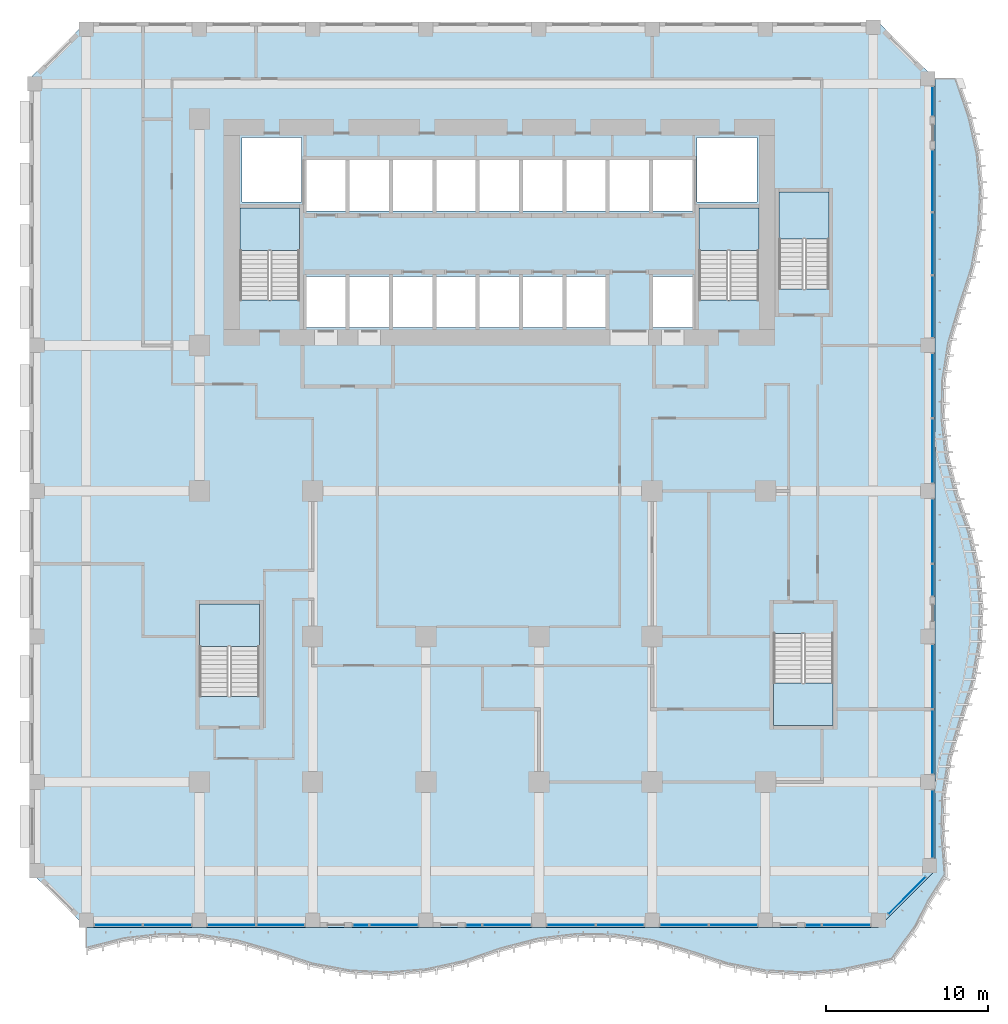
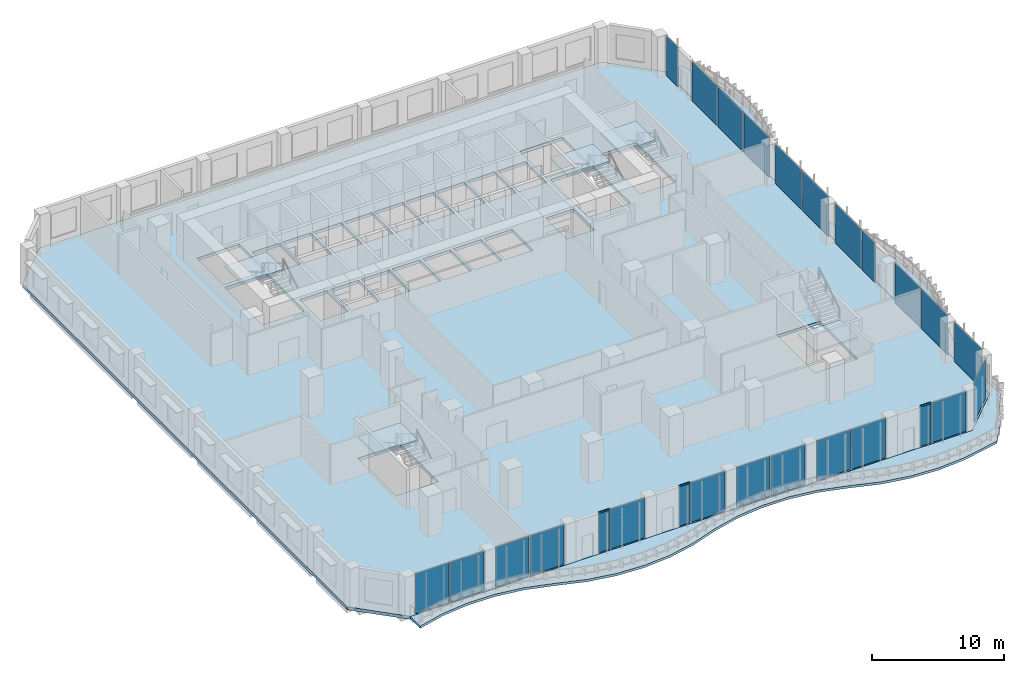
# One storey, part 9 of 24: 26 plates, 7 slabs, 3 members, 31 elements without a shape of their own.
"""IFC4 building model written with IfcOpenShell, lengths in metres."""

import ifcopenshell
import ifcopenshell.guid

model = None  # the IFC model being written
_history = None  # IfcOwnerHistory: only IFC2X3 demands one
_inside = {}  # id of a spatial element -> (the spatial element, [elements in it])
_under = {}  # id of a project, library or spatial element -> (it, [spatial elements below it])
_declared = {}  # id of a project -> (the project, [libraries it declares])
_typed = {}  # id of a type object -> (the type object, [elements of that type])
_made_of = {}  # id of a material, layer set ... -> (it, [elements and type objects made of it])


def new_model(schema):
    """Start an empty IFC model of exactly this schema.

    Asked for "IFC4X3", IfcOpenShell would pick the latest addendum, in which some entities
    have other attributes; the version numbers below select the first issue.
    IFC2X3 requires an IfcOwnerHistory on every rooted entity: one is made here for all.
    """
    global model, _history
    if schema == "IFC4X3":
        model = ifcopenshell.file(schema_version=(4, 3, 0, 0))
    else:
        model = ifcopenshell.file(schema=schema)
    _inside.clear()
    _under.clear()
    _declared.clear()
    _typed.clear()
    _made_of.clear()
    _history = None
    if model.schema == "IFC2X3":
        org = make("IfcOrganization", Name="unknown")
        user = make(
            "IfcPersonAndOrganization",
            ThePerson=make("IfcPerson", FamilyName="unknown"),
            TheOrganization=org,
        )
        app = make(
            "IfcApplication",
            ApplicationDeveloper=org,
            Version="unknown",
            ApplicationFullName="unknown",
            ApplicationIdentifier="unknown",
        )
        _history = make(
            "IfcOwnerHistory",
            OwningUser=user,
            OwningApplication=app,
            ChangeAction="ADDED",
            CreationDate=0,
        )
    return model


def make(cls, **values):
    """One entity of the class cls with the attributes given. An attribute that is None is left unset."""
    return model.create_entity(
        cls, **{name: value for name, value in values.items() if value is not None}
    )


def rooted(cls, **values):
    """An entity with a GlobalId (a new one), such as an element, a storey or a relation."""
    return make(cls, GlobalId=ifcopenshell.guid.new(), OwnerHistory=_history, **values)


def si_unit(unit_type, name, prefix=None):
    """IfcSIUnit, for example si_unit("LENGTHUNIT", "METRE", prefix="MILLI")."""
    return make("IfcSIUnit", UnitType=unit_type, Prefix=prefix, Name=name)


def assignment(units):
    """IfcUnitAssignment: the units of a project."""
    return None if units is None else make("IfcUnitAssignment", Units=units)


def point(xyz):
    """IfcCartesianPoint."""
    return None if xyz is None else make("IfcCartesianPoint", Coordinates=xyz)


def direction(xyz):
    """IfcDirection."""
    return None if xyz is None else make("IfcDirection", DirectionRatios=xyz)


def frame(location, z_axis=None, x_axis=None):
    """IfcAxis2Placement3D, a coordinate frame: its origin and axes. An axis left out is left unset."""
    return make(
        "IfcAxis2Placement3D",
        Location=point(location),
        Axis=direction(z_axis),
        RefDirection=direction(x_axis),
    )


def frame_2d(location, x_axis=None):
    """IfcAxis2Placement2D, a coordinate frame in the plane: its origin and x axis."""
    return make(
        "IfcAxis2Placement2D", Location=point(location), RefDirection=direction(x_axis)
    )


def origin():
    """The frame at (0, 0, 0) with its axes left unset."""
    return frame((0.0, 0.0, 0.0))


def origin_2d():
    """The frame at (0, 0) in the plane with its x axis left unset."""
    return frame_2d((0.0, 0.0))


def place(relative_to, where):
    """IfcLocalPlacement: puts the frame where relative to a parent placement (None: the world)."""
    return make(
        "IfcLocalPlacement", PlacementRelTo=relative_to, RelativePlacement=where
    )


def context(
    kind, dimensions, precision=None, world=None, true_north=None, identifier=None
):
    """IfcGeometricRepresentationContext, for example the 3D "Model" context."""
    return make(
        "IfcGeometricRepresentationContext",
        ContextIdentifier=identifier,
        ContextType=kind,
        CoordinateSpaceDimension=dimensions,
        Precision=precision,
        WorldCoordinateSystem=world,
        TrueNorth=true_north,
    )


def subcontext(parent, identifier, kind, view, scale=None):
    """IfcGeometricRepresentationSubContext, for example "Body" below "Model"."""
    return make(
        "IfcGeometricRepresentationSubContext",
        ContextIdentifier=identifier,
        ContextType=kind,
        ParentContext=parent,
        TargetScale=scale,
        TargetView=view,
    )


def project(units=None, contexts=None):
    """IfcProject with its units and contexts."""
    return rooted(
        "IfcProject",
        Name="project",
        RepresentationContexts=contexts,
        UnitsInContext=assignment(units),
    )


def spatial(cls, under=None, at=None, **own):
    """A site, building, storey or space (cls), placed at a placement, below another one or the project."""
    s = rooted(cls, ObjectPlacement=at, **own)
    if under is not None:
        _under.setdefault(under.id(), (under, []))[1].append(s)
    return s


def polyline(points):
    """IfcPolyline through the points."""
    return make("IfcPolyline", Points=[point(p) for p in points])


def profile(cls, at=None, kind="AREA", **sizes):
    """A parametric profile (cls). Its sizes go by their IFC names, for example OverallWidth=200.0."""
    return make(cls, ProfileType=kind, Position=at, **sizes)


def rectangle(**sizes):
    """IfcRectangleProfileDef."""
    return profile("IfcRectangleProfileDef", **sizes)


def outline(outer, holes=None, kind="AREA"):
    """IfcArbitraryClosedProfileDef: a profile drawn as a closed curve; with holes, ...WithVoids."""
    if holes is None:
        return make("IfcArbitraryClosedProfileDef", ProfileType=kind, OuterCurve=outer)
    return make(
        "IfcArbitraryProfileDefWithVoids",
        ProfileType=kind,
        OuterCurve=outer,
        InnerCurves=holes,
    )


def extrude(swept, where, along, depth):
    """IfcExtrudedAreaSolid: the profile swept, set in the frame where, extruded along a direction by depth."""
    return make(
        "IfcExtrudedAreaSolid",
        SweptArea=swept,
        Position=where,
        ExtrudedDirection=direction(along),
        Depth=depth,
    )


def shape(context_of_items, identifier, shape_type, items):
    """IfcShapeRepresentation: the items that make up one representation, for example the "Body"."""
    return make(
        "IfcShapeRepresentation",
        ContextOfItems=context_of_items,
        RepresentationIdentifier=identifier,
        RepresentationType=shape_type,
        Items=items,
    )


def source(mapping_origin, context_of_items, identifier, shape_type, items):
    """IfcRepresentationMap: a shape defined once, which mapped items show again and again."""
    return make(
        "IfcRepresentationMap",
        MappingOrigin=mapping_origin,
        MappedRepresentation=shape(context_of_items, identifier, shape_type, items),
    )


def transform(
    local_origin,
    x_axis=None,
    y_axis=None,
    z_axis=None,
    scale=None,
    scale2=None,
    scale3=None,
    uniform=True,
):
    """IfcCartesianTransformationOperator3D, or its non-uniform kind. x_axis, y_axis, z_axis: its Axis1, 2, 3."""
    if uniform:
        return make(
            "IfcCartesianTransformationOperator3D",
            Axis1=direction(x_axis),
            Axis2=direction(y_axis),
            LocalOrigin=point(local_origin),
            Scale=scale,
            Axis3=direction(z_axis),
        )
    return make(
        "IfcCartesianTransformationOperator3DnonUniform",
        Axis1=direction(x_axis),
        Axis2=direction(y_axis),
        LocalOrigin=point(local_origin),
        Scale=scale,
        Axis3=direction(z_axis),
        Scale2=scale2,
        Scale3=scale3,
    )


def mapped(mapping_source, mapping_target):
    """IfcMappedItem: shows the shape of a source again, moved by a transform."""
    return make(
        "IfcMappedItem", MappingSource=mapping_source, MappingTarget=mapping_target
    )


def material(Name=None, Category=None):
    """IfcMaterial."""
    return make("IfcMaterial", Name=Name, Category=Category)


def layer(
    of_material, thickness, ventilated=None, Name=None, Category=None, Priority=None
):
    """IfcMaterialLayer: one layer of a wall or slab, of a material (None: an air gap)."""
    return make(
        "IfcMaterialLayer",
        Material=of_material,
        LayerThickness=thickness,
        IsVentilated=ventilated,
        Name=Name,
        Category=Category,
        Priority=Priority,
    )


def layer_set(layers, Name=None):
    """IfcMaterialLayerSet."""
    return make("IfcMaterialLayerSet", MaterialLayers=layers, LayerSetName=Name)


def material_profile(
    of_material, cross_section, Name=None, Category=None, Priority=None
):
    """IfcMaterialProfile: a cross section and its material."""
    return make(
        "IfcMaterialProfile",
        Name=Name,
        Material=of_material,
        Profile=cross_section,
        Priority=Priority,
        Category=Category,
    )


def profile_set(profiles, Name=None, composite=None):
    """IfcMaterialProfileSet."""
    return make(
        "IfcMaterialProfileSet",
        Name=Name,
        MaterialProfiles=profiles,
        CompositeProfile=composite,
    )


def made_of(thing, what):
    """Note that an element or type object is made of a material, layer set ...; save() writes the relation."""
    if what is not None:
        _made_of.setdefault(what.id(), (what, []))[1].append(thing)
    return thing


def type_object(cls, material=None, **own):
    """A type object (cls), such as IfcWallType, which elements share."""
    return made_of(rooted(cls, **own), material)


def element(
    cls,
    number,
    at=None,
    inside=None,
    cuts=None,
    type_object=None,
    material=None,
    context=None,
    identifier="Body",
    shape_type=None,
    held_by="IfcProductDefinitionShape",
    body=None,
    shapes=None,
    **own,
):
    """One element of the class cls, such as IfcWall. Its Tag is "e" and its number.

    at: its placement. inside: the storey or other place that contains it. cuts: it is an
    opening in that element (IfcRelVoidsElement). A single representation is given by context,
    identifier, shape_type and body (its items); several are given by shapes. held_by: the class
    of the entity that holds the representations. save() writes the other relations.
    """
    e = rooted(cls, Tag="e%d" % number, ObjectPlacement=at, **own)
    if body is not None:
        shapes = [shape(context, identifier, shape_type, body)]
    if shapes is not None:
        e.Representation = make(held_by, Representations=shapes)
    if inside is not None:
        _inside.setdefault(inside.id(), (inside, []))[1].append(e)
    if cuts is not None:
        rooted(
            "IfcRelVoidsElement", RelatingBuildingElement=cuts, RelatedOpeningElement=e
        )
    if type_object is not None:
        _typed.setdefault(type_object.id(), (type_object, []))[1].append(e)
    return made_of(e, material)


def aggregate(whole, parts):
    """IfcRelAggregates: a whole, such as a stair, and the parts it consists of."""
    return rooted("IfcRelAggregates", RelatingObject=whole, RelatedObjects=parts)


def save(model, path):
    """Write the relations noted so far, then the file.

    IfcRelAggregates (storeys below a building ...), IfcRelContainedInSpatialStructure (elements
    in a storey), IfcRelDefinesByType, IfcRelAssociatesMaterial and IfcRelDeclares: one each for
    every whole, place, type object, material and project.
    """
    for whole, parts in _under.values():
        aggregate(whole, parts)
    for where, things in _inside.values():
        rooted(
            "IfcRelContainedInSpatialStructure",
            RelatedElements=things,
            RelatingStructure=where,
        )
    for kind, things in _typed.values():
        rooted("IfcRelDefinesByType", RelatedObjects=things, RelatingType=kind)
    for what, things in _made_of.values():
        rooted("IfcRelAssociatesMaterial", RelatedObjects=things, RelatingMaterial=what)
    for by, libraries in _declared.values():
        rooted("IfcRelDeclares", RelatingContext=by, RelatedDefinitions=libraries)
    model.write(path)


model = new_model("IFC4")

# Units and contexts
model_context = context("Model", 3, precision=1e-05, world=origin(), true_north=direction((0.0, 1.0)))
body_context = subcontext(model_context, "Body", "Model", "MODEL_VIEW")
ifc_project = project(units=[si_unit("LENGTHUNIT", "METRE"), si_unit("AREAUNIT", "SQUARE_METRE"), si_unit("VOLUMEUNIT", "CUBIC_METRE"), si_unit("PLANEANGLEUNIT", "RADIAN"), si_unit("MASSUNIT", "GRAM", prefix="KILO")], contexts=[model_context])

# Site, building, storey
site_placement = place(None, origin())
site = spatial("IfcSite", under=ifc_project, at=site_placement, CompositionType="ELEMENT")
building_placement = place(site_placement, origin())
building = spatial("IfcBuilding", under=site, at=building_placement, Name="Kilnfold Tower and Market Hall", CompositionType="ELEMENT")
storey_placement = place(building_placement, frame((0.0, 0.0, 35.0)))
storey = spatial("IfcBuildingStorey", under=building, at=storey_placement, Name="L07", CompositionType="ELEMENT", Elevation=35.0)

# Curtain wall, member
ifc_material_1 = material(Name="Aluminium and double glazing", Category="aluminium")
curtain_wall_type = type_object("IfcCurtainWallType", Name="CW OF1 VALLEY GLAZING", PredefinedType="NOTDEFINED", material=ifc_material_1)
curtain_wall_1_placement = place(storey_placement, origin())
curtain_wall_1 = element("IfcCurtainWall", 1, at=curtain_wall_1_placement, inside=storey, type_object=curtain_wall_type, Name="Curtain wall CW1 L07 S", PredefinedType="NOTDEFINED")
ifc_material_2 = material(Name="Aluminium", Category="aluminium")
ifc_material_profile = material_profile(ifc_material_2, rectangle(XDim=0.06005859375, YDim=0.139892578125, at=origin_2d()), Name="TRANSOM 60x140")
ifc_profile_set = profile_set([ifc_material_profile], Name="Aluminium")
member_type = type_object("IfcMemberType", Name="TRANSOM 60X140", PredefinedType="USERDEFINED", material=ifc_profile_set)
shared_shape_1 = source(origin(), body_context, "Body", "SweptSolid", [
    extrude(rectangle(XDim=0.06005859375, YDim=0.139892578125, at=origin_2d()), origin(), (0.0, 0.0, 1.0), 0.929931640625),
])
member_1_placement = place(storey_placement, frame((-7.989990234375, -27.85009765625, 3.68994140625), z_axis=(1.0, 0.0, 0.0), x_axis=(0.0, 1.0, 0.0)))
member_1 = element("IfcMember", 2, at=member_1_placement, type_object=member_type, Name="CW1 transom 1.2", ObjectType="TRANSOM", PredefinedType="USERDEFINED", context=body_context, shape_type="MappedRepresentation", body=[
    mapped(shared_shape_1, transform((0.0, 0.0, 0.0))),
])

curtain_wall_2_placement = place(storey_placement, origin())
curtain_wall_2 = element("IfcCurtainWall", 3, at=curtain_wall_2_placement, inside=storey, type_object=curtain_wall_type, Name="Curtain wall CW1 L07 S", PredefinedType="NOTDEFINED")
member_2_placement = place(storey_placement, frame((-0.989990234375, -27.85009765625, 3.68994140625), z_axis=(1.0, 0.0, 0.0), x_axis=(0.0, 1.0, 0.0)))
member_2 = element("IfcMember", 4, at=member_2_placement, type_object=member_type, Name="CW1 transom 1.2", ObjectType="TRANSOM", PredefinedType="USERDEFINED", context=body_context, shape_type="MappedRepresentation", body=[
    mapped(shared_shape_1, transform((0.0, 0.0, 0.0))),
])

curtain_wall_3_placement = place(storey_placement, origin())
curtain_wall_3 = element("IfcCurtainWall", 5, at=curtain_wall_3_placement, inside=storey, type_object=curtain_wall_type, Name="Curtain wall CW1 L07 S", PredefinedType="NOTDEFINED")
member_3_placement = place(storey_placement, frame((20.010009765625, -27.85009765625, 3.68994140625), z_axis=(1.0, 0.0, 0.0), x_axis=(0.0, 1.0, 0.0)))
member_3 = element("IfcMember", 6, at=member_3_placement, type_object=member_type, Name="CW1 transom 1.2", ObjectType="TRANSOM", PredefinedType="USERDEFINED", context=body_context, shape_type="MappedRepresentation", body=[
    mapped(shared_shape_1, transform((0.0, 0.0, 0.0))),
])

# Slab
ifc_material_3 = material(Name="Concrete C45", Category="concrete")
ifc_layer_1 = layer(ifc_material_3, 0.280029296875)
ifc_layer_set_1 = layer_set([ifc_layer_1], Name="Concrete C45")
slab_type_1 = type_object("IfcSlabType", Name="FLOOR SLAB 280", PredefinedType="FLOOR", material=ifc_layer_set_1)
shared_shape_2 = source(origin(), body_context, "Body", "SweptSolid", [
    extrude(outline(polyline([(-24.5, -28.0), (24.5, -28.0), (28.0, -24.5), (28.0, 24.5), (24.5, 28.0), (-24.5, 28.0), (-28.0, 24.5), (-28.0, -24.5), (-24.5, -28.0)]), holes=[polyline([(-13.800537109375, -13.699462890625), (-17.49951171875, -13.699462890625), (-17.49951171875, -8.00048828125), (-13.800537109375, -8.00048828125), (-13.800537109375, -13.699462890625)]), polyline([(-14.99951171875, 10.800537109375), (-14.99951171875, 16.49951171875), (-11.300537109375, 16.49951171875), (-11.300537109375, 10.800537109375), (-14.99951171875, 10.800537109375)]), polyline([(-14.875, 16.875), (-14.875, 20.875), (-11.175048828125, 20.875), (-11.175048828125, 16.875), (-14.875, 16.875)]), polyline([(-10.885009765625, 9.125), (-10.885009765625, 12.27490234375), (-8.455078125, 12.27490234375), (-8.455078125, 9.125), (-10.885009765625, 9.125)]), polyline([(-8.455078125, 16.324951171875), (-10.885009765625, 16.324951171875), (-10.885009765625, 19.47509765625), (-8.455078125, 19.47509765625), (-8.455078125, 16.324951171875)]), polyline([(-8.205078125, 9.125), (-8.205078125, 12.27490234375), (-5.77490234375, 12.27490234375), (-5.77490234375, 9.125), (-8.205078125, 9.125)]), polyline([(-8.205078125, 16.324951171875), (-8.205078125, 19.47509765625), (-5.77490234375, 19.47509765625), (-5.77490234375, 16.324951171875), (-8.205078125, 16.324951171875)]), polyline([(-3.094970703125, 9.125), (-5.52490234375, 9.125), (-5.52490234375, 12.27490234375), (-3.094970703125, 12.27490234375), (-3.094970703125, 9.125)]), polyline([(-5.52490234375, 16.324951171875), (-5.52490234375, 19.47509765625), (-3.094970703125, 19.47509765625), (-3.094970703125, 16.324951171875), (-5.52490234375, 16.324951171875)]), polyline([(-2.844970703125, 9.125), (-2.844970703125, 12.27490234375), (-0.4150390625, 12.27490234375), (-0.4150390625, 9.125), (-2.844970703125, 9.125)]), polyline([(-0.4150390625, 16.324951171875), (-2.844970703125, 16.324951171875), (-2.844970703125, 19.47509765625), (-0.4150390625, 19.47509765625), (-0.4150390625, 16.324951171875)]), polyline([(-0.1650390625, 9.125), (-0.1650390625, 12.27490234375), (2.264892578125, 12.27490234375), (2.264892578125, 9.125), (-0.1650390625, 9.125)]), polyline([(-0.1650390625, 16.324951171875), (-0.1650390625, 19.47509765625), (2.264892578125, 19.47509765625), (2.264892578125, 16.324951171875), (-0.1650390625, 16.324951171875)]), polyline([(2.514892578125, 9.125), (2.514892578125, 12.27490234375), (4.945068359375, 12.27490234375), (4.945068359375, 9.125), (2.514892578125, 9.125)]), polyline([(2.514892578125, 16.324951171875), (2.514892578125, 19.47509765625), (4.945068359375, 19.47509765625), (4.945068359375, 16.324951171875), (2.514892578125, 16.324951171875)]), polyline([(7.625, 9.125), (5.195068359375, 9.125), (5.195068359375, 12.27490234375), (7.625, 12.27490234375), (7.625, 9.125)]), polyline([(5.195068359375, 16.324951171875), (5.195068359375, 19.47509765625), (7.625, 19.47509765625), (7.625, 16.324951171875), (5.195068359375, 16.324951171875)]), polyline([(10.304931640625, 16.324951171875), (7.875, 16.324951171875), (7.875, 19.47509765625), (10.304931640625, 19.47509765625), (10.304931640625, 16.324951171875)]), polyline([(10.554931640625, 9.125), (10.554931640625, 12.27490234375), (12.985107421875, 12.27490234375), (12.985107421875, 9.125), (10.554931640625, 9.125)]), polyline([(10.554931640625, 16.324951171875), (10.554931640625, 19.47509765625), (12.985107421875, 19.47509765625), (12.985107421875, 16.324951171875), (10.554931640625, 16.324951171875)]), polyline([(13.27490234375, 16.875), (13.27490234375, 20.875), (16.97509765625, 20.875), (16.97509765625, 16.875), (13.27490234375, 16.875)]), polyline([(13.400390625, 10.800537109375), (13.400390625, 16.49951171875), (17.099609375, 16.49951171875), (17.099609375, 10.800537109375), (13.400390625, 10.800537109375)]), polyline([(18.00048828125, -9.800537109375), (21.699462890625, -9.800537109375), (21.699462890625, -15.49951171875), (18.00048828125, -15.49951171875), (18.00048828125, -9.800537109375)]), polyline([(21.449462890625, 11.50048828125), (18.3505859375, 11.50048828125), (18.3505859375, 17.49951171875), (21.449462890625, 17.49951171875), (21.449462890625, 11.50048828125)])]), origin(), (0.0, 0.0, 1.0), 0.280029296875),
])
slab_1_placement = place(storey_placement, frame((0.0, 0.0, -0.280029296875)))
element("IfcSlab", 7, at=slab_1_placement, inside=storey, type_object=slab_type_1, Name="Floor slab L07", PredefinedType="FLOOR", context=body_context, shape_type="MappedRepresentation", body=[
    mapped(shared_shape_2, transform((0.0, 0.0, 0.0))),
])

# Plate
ifc_material_4 = material(Name="Double glazed unit")
ifc_layer_2 = layer(ifc_material_4, 0.031982421875)
ifc_layer_set_2 = layer_set([ifc_layer_2], Name="Double glazed unit")
plate_type = type_object("IfcPlateType", Name="GLAZING PANEL 32", PredefinedType="CURTAIN_PANEL", material=ifc_layer_set_2)
shared_shape_3 = source(origin(), body_context, "Body", "SweptSolid", [
    extrude(rectangle(XDim=0.929931640625, YDim=0.031982421875, at=origin_2d()), origin(), (0.0, 0.0, 1.0), 3.659912109375),
])
plate_1_placement = place(storey_placement, frame((-7.52490234375, -27.85009765625, 0.0), z_axis=(0.0, 0.0, 1.0), x_axis=(1.0, 0.0, 0.0)))
plate_1 = element("IfcPlate", 8, at=plate_1_placement, type_object=plate_type, Name="CW1 panel 1.1", PredefinedType="CURTAIN_PANEL", context=body_context, shape_type="MappedRepresentation", body=[
    mapped(shared_shape_3, transform((0.0, 0.0, 0.0))),
])

aggregate(curtain_wall_1, [member_1, plate_1])

plate_2_placement = place(storey_placement, frame((-0.52490234375, -27.85009765625, 0.0), z_axis=(0.0, 0.0, 1.0), x_axis=(1.0, 0.0, 0.0)))
plate_2 = element("IfcPlate", 9, at=plate_2_placement, type_object=plate_type, Name="CW1 panel 1.1", PredefinedType="CURTAIN_PANEL", context=body_context, shape_type="MappedRepresentation", body=[
    mapped(shared_shape_3, transform((0.0, 0.0, 0.0))),
])

aggregate(curtain_wall_2, [member_2, plate_2])

plate_3_placement = place(storey_placement, frame((20.47509765625, -27.85009765625, 0.0), z_axis=(0.0, 0.0, 1.0), x_axis=(1.0, 0.0, 0.0)))
plate_3 = element("IfcPlate", 10, at=plate_3_placement, type_object=plate_type, Name="CW1 panel 1.1", PredefinedType="CURTAIN_PANEL", context=body_context, shape_type="MappedRepresentation", body=[
    mapped(shared_shape_3, transform((0.0, 0.0, 0.0))),
])

aggregate(curtain_wall_3, [member_3, plate_3])

# Curtain wall, plate
curtain_wall_4_placement = place(storey_placement, origin())
curtain_wall_4 = element("IfcCurtainWall", 11, at=curtain_wall_4_placement, inside=storey, type_object=curtain_wall_type, Name="Curtain wall CW1 L07 S", PredefinedType="NOTDEFINED")
shared_shape_4 = source(origin(), body_context, "Body", "SweptSolid", [
    extrude(rectangle(XDim=2.929931640625, YDim=0.031982421875, at=origin_2d()), origin(), (0.0, 0.0, 1.0), 3.659912109375),
])
plate_4_placement = place(storey_placement, frame((-22.52490234375, -27.85009765625, 0.0), z_axis=(0.0, 0.0, 1.0), x_axis=(1.0, 0.0, 0.0)))
plate_4 = element("IfcPlate", 12, at=plate_4_placement, type_object=plate_type, Name="CW1 panel 1.1", PredefinedType="CURTAIN_PANEL", context=body_context, shape_type="MappedRepresentation", body=[
    mapped(shared_shape_4, transform((0.0, 0.0, 0.0))),
])
aggregate(curtain_wall_4, [plate_4])

curtain_wall_5_placement = place(storey_placement, origin())
curtain_wall_5 = element("IfcCurtainWall", 13, at=curtain_wall_5_placement, inside=storey, type_object=curtain_wall_type, Name="Curtain wall CW1 L07 S", PredefinedType="NOTDEFINED")
plate_5_placement = place(storey_placement, frame((-19.47509765625, -27.85009765625, 0.0), z_axis=(0.0, 0.0, 1.0), x_axis=(1.0, 0.0, 0.0)))
plate_5 = element("IfcPlate", 14, at=plate_5_placement, type_object=plate_type, Name="CW1 panel 1.1", PredefinedType="CURTAIN_PANEL", context=body_context, shape_type="MappedRepresentation", body=[
    mapped(shared_shape_4, transform((0.0, 0.0, 0.0))),
])
aggregate(curtain_wall_5, [plate_5])

curtain_wall_6_placement = place(storey_placement, origin())
curtain_wall_6 = element("IfcCurtainWall", 15, at=curtain_wall_6_placement, inside=storey, type_object=curtain_wall_type, Name="Curtain wall CW1 L07 S", PredefinedType="NOTDEFINED")
plate_6_placement = place(storey_placement, frame((-15.52490234375, -27.85009765625, 0.0), z_axis=(0.0, 0.0, 1.0), x_axis=(1.0, 0.0, 0.0)))
plate_6 = element("IfcPlate", 16, at=plate_6_placement, type_object=plate_type, Name="CW1 panel 1.1", PredefinedType="CURTAIN_PANEL", context=body_context, shape_type="MappedRepresentation", body=[
    mapped(shared_shape_4, transform((0.0, 0.0, 0.0))),
])
aggregate(curtain_wall_6, [plate_6])

curtain_wall_7_placement = place(storey_placement, origin())
curtain_wall_7 = element("IfcCurtainWall", 17, at=curtain_wall_7_placement, inside=storey, type_object=curtain_wall_type, Name="Curtain wall CW1 L07 S", PredefinedType="NOTDEFINED")
plate_7_placement = place(storey_placement, frame((-12.47509765625, -27.85009765625, 0.0), z_axis=(0.0, 0.0, 1.0), x_axis=(1.0, 0.0, 0.0)))
plate_7 = element("IfcPlate", 18, at=plate_7_placement, type_object=plate_type, Name="CW1 panel 1.1", PredefinedType="CURTAIN_PANEL", context=body_context, shape_type="MappedRepresentation", body=[
    mapped(shared_shape_4, transform((0.0, 0.0, 0.0))),
])
aggregate(curtain_wall_7, [plate_7])

curtain_wall_8_placement = place(storey_placement, origin())
curtain_wall_8 = element("IfcCurtainWall", 19, at=curtain_wall_8_placement, inside=storey, type_object=curtain_wall_type, Name="Curtain wall CW1 L07 S", PredefinedType="NOTDEFINED")
plate_8_placement = place(storey_placement, frame((-5.47509765625, -27.85009765625, 0.0), z_axis=(0.0, 0.0, 1.0), x_axis=(1.0, 0.0, 0.0)))
plate_8 = element("IfcPlate", 20, at=plate_8_placement, type_object=plate_type, Name="CW1 panel 1.1", PredefinedType="CURTAIN_PANEL", context=body_context, shape_type="MappedRepresentation", body=[
    mapped(shared_shape_4, transform((0.0, 0.0, 0.0))),
])
aggregate(curtain_wall_8, [plate_8])

curtain_wall_9_placement = place(storey_placement, origin())
curtain_wall_9 = element("IfcCurtainWall", 21, at=curtain_wall_9_placement, inside=storey, type_object=curtain_wall_type, Name="Curtain wall CW1 L07 S", PredefinedType="NOTDEFINED")
plate_9_placement = place(storey_placement, frame((1.52490234375, -27.85009765625, 0.0), z_axis=(0.0, 0.0, 1.0), x_axis=(1.0, 0.0, 0.0)))
plate_9 = element("IfcPlate", 22, at=plate_9_placement, type_object=plate_type, Name="CW1 panel 1.1", PredefinedType="CURTAIN_PANEL", context=body_context, shape_type="MappedRepresentation", body=[
    mapped(shared_shape_4, transform((0.0, 0.0, 0.0))),
])
aggregate(curtain_wall_9, [plate_9])

curtain_wall_10_placement = place(storey_placement, origin())
curtain_wall_10 = element("IfcCurtainWall", 23, at=curtain_wall_10_placement, inside=storey, type_object=curtain_wall_type, Name="Curtain wall CW1 L07 S", PredefinedType="NOTDEFINED")
plate_10_placement = place(storey_placement, frame((5.47509765625, -27.85009765625, 0.0), z_axis=(0.0, 0.0, 1.0), x_axis=(1.0, 0.0, 0.0)))
plate_10 = element("IfcPlate", 24, at=plate_10_placement, type_object=plate_type, Name="CW1 panel 1.1", PredefinedType="CURTAIN_PANEL", context=body_context, shape_type="MappedRepresentation", body=[
    mapped(shared_shape_4, transform((0.0, 0.0, 0.0))),
])
aggregate(curtain_wall_10, [plate_10])

curtain_wall_11_placement = place(storey_placement, origin())
curtain_wall_11 = element("IfcCurtainWall", 25, at=curtain_wall_11_placement, inside=storey, type_object=curtain_wall_type, Name="Curtain wall CW1 L07 S", PredefinedType="NOTDEFINED")
plate_11_placement = place(storey_placement, frame((8.52490234375, -27.85009765625, 0.0), z_axis=(0.0, 0.0, 1.0), x_axis=(1.0, 0.0, 0.0)))
plate_11 = element("IfcPlate", 26, at=plate_11_placement, type_object=plate_type, Name="CW1 panel 1.1", PredefinedType="CURTAIN_PANEL", context=body_context, shape_type="MappedRepresentation", body=[
    mapped(shared_shape_4, transform((0.0, 0.0, 0.0))),
])
aggregate(curtain_wall_11, [plate_11])

curtain_wall_12_placement = place(storey_placement, origin())
curtain_wall_12 = element("IfcCurtainWall", 27, at=curtain_wall_12_placement, inside=storey, type_object=curtain_wall_type, Name="Curtain wall CW1 L07 S", PredefinedType="NOTDEFINED")
plate_12_placement = place(storey_placement, frame((12.47509765625, -27.85009765625, 0.0), z_axis=(0.0, 0.0, 1.0), x_axis=(1.0, 0.0, 0.0)))
plate_12 = element("IfcPlate", 28, at=plate_12_placement, type_object=plate_type, Name="CW1 panel 1.1", PredefinedType="CURTAIN_PANEL", context=body_context, shape_type="MappedRepresentation", body=[
    mapped(shared_shape_4, transform((0.0, 0.0, 0.0))),
])
aggregate(curtain_wall_12, [plate_12])

curtain_wall_13_placement = place(storey_placement, origin())
curtain_wall_13 = element("IfcCurtainWall", 29, at=curtain_wall_13_placement, inside=storey, type_object=curtain_wall_type, Name="Curtain wall CW1 L07 S", PredefinedType="NOTDEFINED")
plate_13_placement = place(storey_placement, frame((15.52490234375, -27.85009765625, 0.0), z_axis=(0.0, 0.0, 1.0), x_axis=(1.0, 0.0, 0.0)))
plate_13 = element("IfcPlate", 30, at=plate_13_placement, type_object=plate_type, Name="CW1 panel 1.1", PredefinedType="CURTAIN_PANEL", context=body_context, shape_type="MappedRepresentation", body=[
    mapped(shared_shape_4, transform((0.0, 0.0, 0.0))),
])
aggregate(curtain_wall_13, [plate_13])

curtain_wall_14_placement = place(storey_placement, origin())
curtain_wall_14 = element("IfcCurtainWall", 31, at=curtain_wall_14_placement, inside=storey, type_object=curtain_wall_type, Name="Curtain wall CW1 L07 S", PredefinedType="NOTDEFINED")
plate_14_placement = place(storey_placement, frame((22.52490234375, -27.85009765625, 0.0), z_axis=(0.0, 0.0, 1.0), x_axis=(1.0, 0.0, 0.0)))
plate_14 = element("IfcPlate", 32, at=plate_14_placement, type_object=plate_type, Name="CW1 panel 1.1", PredefinedType="CURTAIN_PANEL", context=body_context, shape_type="MappedRepresentation", body=[
    mapped(shared_shape_4, transform((0.0, 0.0, 0.0))),
])
aggregate(curtain_wall_14, [plate_14])

curtain_wall_15_placement = place(storey_placement, origin())
curtain_wall_15 = element("IfcCurtainWall", 33, at=curtain_wall_15_placement, inside=storey, type_object=curtain_wall_type, Name="Curtain wall CW1 L07 E", PredefinedType="NOTDEFINED")
shared_shape_5 = source(origin(), body_context, "Body", "SweptSolid", [
    extrude(rectangle(XDim=3.929931640625, YDim=0.031982421875, at=origin_2d()), origin(), (0.0, 0.0, 1.0), 3.659912109375),
])
plate_15_placement = place(storey_placement, frame((27.85009765625, -16.52490234375, 0.0), z_axis=(0.0, 0.0, 1.0), x_axis=(0.0, 1.0, 0.0)))
plate_15 = element("IfcPlate", 34, at=plate_15_placement, type_object=plate_type, Name="CW1 panel 1.1", PredefinedType="CURTAIN_PANEL", context=body_context, shape_type="MappedRepresentation", body=[
    mapped(shared_shape_5, transform((0.0, 0.0, 0.0))),
])
aggregate(curtain_wall_15, [plate_15])

curtain_wall_16_placement = place(storey_placement, origin())
curtain_wall_16 = element("IfcCurtainWall", 35, at=curtain_wall_16_placement, inside=storey, type_object=curtain_wall_type, Name="Curtain wall CW1 L07 E", PredefinedType="NOTDEFINED")
plate_16_placement = place(storey_placement, frame((27.85009765625, -12.47509765625, 0.0), z_axis=(0.0, 0.0, 1.0), x_axis=(0.0, 1.0, 0.0)))
plate_16 = element("IfcPlate", 36, at=plate_16_placement, type_object=plate_type, Name="CW1 panel 1.1", PredefinedType="CURTAIN_PANEL", context=body_context, shape_type="MappedRepresentation", body=[
    mapped(shared_shape_5, transform((0.0, 0.0, 0.0))),
])
aggregate(curtain_wall_16, [plate_16])

curtain_wall_17_placement = place(storey_placement, origin())
curtain_wall_17 = element("IfcCurtainWall", 37, at=curtain_wall_17_placement, inside=storey, type_object=curtain_wall_type, Name="Curtain wall CW1 L07 E", PredefinedType="NOTDEFINED")
plate_17_placement = place(storey_placement, frame((27.85009765625, -3.47509765625, 0.0), z_axis=(0.0, 0.0, 1.0), x_axis=(0.0, 1.0, 0.0)))
plate_17 = element("IfcPlate", 38, at=plate_17_placement, type_object=plate_type, Name="CW1 panel 1.1", PredefinedType="CURTAIN_PANEL", context=body_context, shape_type="MappedRepresentation", body=[
    mapped(shared_shape_5, transform((0.0, 0.0, 0.0))),
])
aggregate(curtain_wall_17, [plate_17])

curtain_wall_18_placement = place(storey_placement, origin())
curtain_wall_18 = element("IfcCurtainWall", 39, at=curtain_wall_18_placement, inside=storey, type_object=curtain_wall_type, Name="Curtain wall CW1 L07 E", PredefinedType="NOTDEFINED")
plate_18_placement = place(storey_placement, frame((27.85009765625, 1.47509765625, 0.0), z_axis=(0.0, 0.0, 1.0), x_axis=(0.0, 1.0, 0.0)))
plate_18 = element("IfcPlate", 40, at=plate_18_placement, type_object=plate_type, Name="CW1 panel 1.1", PredefinedType="CURTAIN_PANEL", context=body_context, shape_type="MappedRepresentation", body=[
    mapped(shared_shape_5, transform((0.0, 0.0, 0.0))),
])
aggregate(curtain_wall_18, [plate_18])

curtain_wall_19_placement = place(storey_placement, origin())
curtain_wall_19 = element("IfcCurtainWall", 41, at=curtain_wall_19_placement, inside=storey, type_object=curtain_wall_type, Name="Curtain wall CW1 L07 E", PredefinedType="NOTDEFINED")
plate_19_placement = place(storey_placement, frame((27.85009765625, 5.52490234375, 0.0), z_axis=(0.0, 0.0, 1.0), x_axis=(0.0, 1.0, 0.0)))
plate_19 = element("IfcPlate", 42, at=plate_19_placement, type_object=plate_type, Name="CW1 panel 1.1", PredefinedType="CURTAIN_PANEL", context=body_context, shape_type="MappedRepresentation", body=[
    mapped(shared_shape_5, transform((0.0, 0.0, 0.0))),
])
aggregate(curtain_wall_19, [plate_19])

curtain_wall_20_placement = place(storey_placement, origin())
curtain_wall_20 = element("IfcCurtainWall", 43, at=curtain_wall_20_placement, inside=storey, type_object=curtain_wall_type, Name="Curtain wall CW1 L07 E", PredefinedType="NOTDEFINED")
shared_shape_6 = source(origin(), body_context, "Body", "SweptSolid", [
    extrude(rectangle(XDim=1.929931640625, YDim=0.031982421875, at=origin_2d()), origin(), (0.0, 0.0, 1.0), 3.659912109375),
])
plate_20_placement = place(storey_placement, frame((27.85009765625, -6.52490234375, 0.0), z_axis=(0.0, 0.0, 1.0), x_axis=(0.0, 1.0, 0.0)))
plate_20 = element("IfcPlate", 44, at=plate_20_placement, type_object=plate_type, Name="CW1 panel 1.1", PredefinedType="CURTAIN_PANEL", context=body_context, shape_type="MappedRepresentation", body=[
    mapped(shared_shape_6, transform((0.0, 0.0, 0.0))),
])
aggregate(curtain_wall_20, [plate_20])

curtain_wall_21_placement = place(storey_placement, origin())
curtain_wall_21 = element("IfcCurtainWall", 45, at=curtain_wall_21_placement, inside=storey, type_object=curtain_wall_type, Name="Curtain wall CW1 L07 E", PredefinedType="NOTDEFINED")
shared_shape_7 = source(origin(), body_context, "Body", "SweptSolid", [
    extrude(rectangle(XDim=3.780029296875, YDim=0.031982421875, at=origin_2d()), origin(), (0.0, 0.0, 1.0), 3.659912109375),
])
plate_21_placement = place(storey_placement, frame((27.85009765625, 10.39990234375, 0.0), z_axis=(0.0, 0.0, 1.0), x_axis=(0.0, 1.0, 0.0)))
plate_21 = element("IfcPlate", 46, at=plate_21_placement, type_object=plate_type, Name="CW1 panel 1.1", PredefinedType="CURTAIN_PANEL", context=body_context, shape_type="MappedRepresentation", body=[
    mapped(shared_shape_7, transform((0.0, 0.0, 0.0))),
])
aggregate(curtain_wall_21, [plate_21])

curtain_wall_22_placement = place(storey_placement, origin())
curtain_wall_22 = element("IfcCurtainWall", 47, at=curtain_wall_22_placement, inside=storey, type_object=curtain_wall_type, Name="Curtain wall CW1 L07 E", PredefinedType="NOTDEFINED")
plate_22_placement = place(storey_placement, frame((27.85009765625, 14.300048828125, 0.0), z_axis=(0.0, 0.0, 1.0), x_axis=(0.0, 1.0, 0.0)))
plate_22 = element("IfcPlate", 48, at=plate_22_placement, type_object=plate_type, Name="CW1 panel 1.1", PredefinedType="CURTAIN_PANEL", context=body_context, shape_type="MappedRepresentation", body=[
    mapped(shared_shape_7, transform((0.0, 0.0, 0.0))),
])
aggregate(curtain_wall_22, [plate_22])

curtain_wall_23_placement = place(storey_placement, origin())
curtain_wall_23 = element("IfcCurtainWall", 49, at=curtain_wall_23_placement, inside=storey, type_object=curtain_wall_type, Name="Curtain wall CW1 L07 E", PredefinedType="NOTDEFINED")
plate_23_placement = place(storey_placement, frame((27.85009765625, 18.199951171875, 0.0), z_axis=(0.0, 0.0, 1.0), x_axis=(0.0, 1.0, 0.0)))
plate_23 = element("IfcPlate", 50, at=plate_23_placement, type_object=plate_type, Name="CW1 panel 1.1", PredefinedType="CURTAIN_PANEL", context=body_context, shape_type="MappedRepresentation", body=[
    mapped(shared_shape_7, transform((0.0, 0.0, 0.0))),
])
aggregate(curtain_wall_23, [plate_23])

curtain_wall_24_placement = place(storey_placement, origin())
curtain_wall_24 = element("IfcCurtainWall", 51, at=curtain_wall_24_placement, inside=storey, type_object=curtain_wall_type, Name="Curtain wall CW1 L07 E", PredefinedType="NOTDEFINED")
shared_shape_8 = source(origin(), body_context, "Body", "SweptSolid", [
    extrude(rectangle(XDim=1.780029296875, YDim=0.031982421875, at=origin_2d()), origin(), (0.0, 0.0, 1.0), 3.659912109375),
])
plate_24_placement = place(storey_placement, frame((27.85009765625, 23.10009765625, 0.0), z_axis=(0.0, 0.0, 1.0), x_axis=(0.0, 1.0, 0.0)))
plate_24 = element("IfcPlate", 52, at=plate_24_placement, type_object=plate_type, Name="CW1 panel 1.1", PredefinedType="CURTAIN_PANEL", context=body_context, shape_type="MappedRepresentation", body=[
    mapped(shared_shape_8, transform((0.0, 0.0, 0.0))),
])
aggregate(curtain_wall_24, [plate_24])

curtain_wall_25_placement = place(storey_placement, origin())
curtain_wall_25 = element("IfcCurtainWall", 53, at=curtain_wall_25_placement, inside=storey, type_object=curtain_wall_type, Name="Curtain wall CW1 L07 E", PredefinedType="NOTDEFINED")
shared_shape_9 = source(origin(), body_context, "Body", "SweptSolid", [
    extrude(rectangle(XDim=4.161865234375, YDim=0.031982421875, at=origin_2d()), origin(), (0.0, 0.0, 1.0), 3.659912109375),
])
plate_25_placement = place(storey_placement, frame((27.85009765625, -21.5908203125, 0.0), z_axis=(0.0, 0.0, 1.0), x_axis=(0.0, 1.0, 0.0)))
plate_25 = element("IfcPlate", 54, at=plate_25_placement, type_object=plate_type, Name="CW1 panel 1.1", PredefinedType="CURTAIN_PANEL", context=body_context, shape_type="MappedRepresentation", body=[
    mapped(shared_shape_9, transform((0.0, 0.0, 0.0))),
])
aggregate(curtain_wall_25, [plate_25])

curtain_wall_26_placement = place(storey_placement, origin())
curtain_wall_26 = element("IfcCurtainWall", 55, at=curtain_wall_26_placement, inside=storey, type_object=curtain_wall_type, Name="Curtain wall CW1 L07 SE", PredefinedType="NOTDEFINED")
shared_shape_10 = source(origin(), body_context, "Body", "SweptSolid", [
    extrude(rectangle(XDim=3.23876953125, YDim=0.031982421875, at=origin_2d()), origin(), (0.0, 0.0, 1.0), 3.659912109375),
])
plate_26_placement = place(storey_placement, frame((26.25634765625, -26.031494140625, 0.0), z_axis=(0.0, 0.0, 1.0), x_axis=(0.707121667181, 0.707091894879, 0.0)))
plate_26 = element("IfcPlate", 56, at=plate_26_placement, type_object=plate_type, Name="CW1 panel 1.1", PredefinedType="CURTAIN_PANEL", context=body_context, shape_type="MappedRepresentation", body=[
    mapped(shared_shape_10, transform((0.0, 0.0, 0.0))),
])
aggregate(curtain_wall_26, [plate_26])

# Slab
ifc_material_5 = material(Name="Concrete C40/50", Category="concrete")
ifc_layer_3 = layer(ifc_material_5, 0.219970703125)
ifc_layer_set_3 = layer_set([ifc_layer_3], Name="Concrete C40/50")
slab_type_2 = type_object("IfcSlabType", Name="BALCONY SLAB 220", PredefinedType="FLOOR", material=ifc_layer_set_3)
shared_shape_11 = source(origin(), body_context, "Body", "SweptSolid", [
    extrude(outline(polyline([(-24.5, -28.0), (24.5, -28.0), (28.0, -24.5), (28.0, 24.5), (29.473388671875, 24.5), (30.279541015625, 22.166748046875), (30.796630859375, 19.833251953125), (30.99658203125, 17.5), (30.889892578125, 15.166748046875), (30.47119140625, 12.833251953125), (29.719482421875, 10.5), (29.02880859375, 8.166748046875), (28.66796875, 5.833251953125), (28.616943359375, 3.5), (28.873291015625, 1.166748046875), (29.450439453125, -1.166748046875), (30.258544921875, -3.5), (30.78564453125, -5.833251953125), (30.9951171875, -8.166748046875), (30.897705078125, -10.5), (30.488525390625, -12.833251953125), (29.74609375, -15.166748046875), (29.044677734375, -17.5), (28.67431640625, -19.833251953125), (28.614013671875, -22.166748046875), (28.79541015625, -24.829345703125), (27.701171875, -26.534423828125), (26.9140625, -28.08056640625), (25.387939453125, -30.143798828125), (22.166748046875, -30.817626953125), (19.833251953125, -30.998779296875), (17.5, -30.87353515625), (15.166748046875, -30.435302734375), (12.833251953125, -29.66748046875), (10.5, -28.997802734375), (8.166748046875, -28.656005859375), (5.833251953125, -28.623779296875), (3.5, -28.898681640625), (1.166748046875, -29.49658203125), (-1.166748046875, -30.300048828125), (-3.5, -30.807373046875), (-5.833251953125, -30.997802734375), (-8.166748046875, -30.8818359375), (-10.5, -30.453369140625), (-12.833251953125, -29.693359375), (-15.166748046875, -29.01318359375), (-17.5, -28.661865234375), (-19.833251953125, -28.6201171875), (-22.166748046875, -28.885986328125), (-24.5, -29.473388671875), (-24.5, -28.0)])), origin(), (0.0, 0.0, 1.0), 0.219970703125),
])
slab_2_placement = place(storey_placement, frame((0.0, 0.0, -0.219970703125)))
element("IfcSlab", 57, at=slab_2_placement, inside=storey, type_object=slab_type_2, Name="Balcony slab L07", PredefinedType="FLOOR", context=body_context, shape_type="MappedRepresentation", body=[
    mapped(shared_shape_11, transform((0.0, 0.0, 0.0))),
])

# Stair, slab
ifc_material_6 = material(Name="Concrete C40/50", Category="concrete")
stair_type_1 = type_object("IfcStairType", Name="CORE STAIR 1800", PredefinedType="HALF_TURN_STAIR", material=ifc_material_6)
stair_1_placement = place(storey_placement, origin())
stair_1 = element("IfcStair", 58, at=stair_1_placement, inside=storey, type_object=stair_type_1, Name="L07 ST1", PredefinedType="HALF_TURN_STAIR")
ifc_material_7 = material(Name="Concrete C40/50", Category="concrete")
ifc_layer_4 = layer(ifc_material_7, 0.199951171875)
ifc_layer_set_4 = layer_set([ifc_layer_4], Name="Concrete C40/50")
slab_type_3 = type_object("IfcSlabType", Name="CORE STAIR LANDING 200", PredefinedType="LANDING", material=ifc_layer_set_4)
shared_shape_12 = source(origin(), body_context, "Body", "SweptSolid", [
    extrude(outline(polyline([(-11.300048828125, 13.8798828125), (-11.300048828125, 16.5), (-15.0, 16.5), (-15.0, 13.8798828125), (-11.300048828125, 13.8798828125)])), origin(), (0.0, 0.0, 1.0), 0.199951171875),
])
slab_3_placement = place(storey_placement, frame((0.0, 0.0, 1.800048828125)))
slab_3 = element("IfcSlab", 59, at=slab_3_placement, type_object=slab_type_3, Name="ST1 landing 1", PredefinedType="LANDING", context=body_context, shape_type="MappedRepresentation", body=[
    mapped(shared_shape_12, transform((0.0, 0.0, 0.0))),
])
aggregate(stair_1, [slab_3])

stair_2_placement = place(storey_placement, origin())
stair_2 = element("IfcStair", 60, at=stair_2_placement, inside=storey, type_object=stair_type_1, Name="L07 ST2", PredefinedType="HALF_TURN_STAIR")
shared_shape_13 = source(origin(), body_context, "Body", "SweptSolid", [
    extrude(outline(polyline([(17.10009765625, 13.8798828125), (17.10009765625, 16.5), (13.39990234375, 16.5), (13.39990234375, 13.8798828125), (17.10009765625, 13.8798828125)])), origin(), (0.0, 0.0, 1.0), 0.199951171875),
])
slab_4_placement = place(storey_placement, frame((0.0, 0.0, 1.800048828125)))
slab_4 = element("IfcSlab", 61, at=slab_4_placement, type_object=slab_type_3, Name="ST2 landing 1", PredefinedType="LANDING", context=body_context, shape_type="MappedRepresentation", body=[
    mapped(shared_shape_13, transform((0.0, 0.0, 0.0))),
])
aggregate(stair_2, [slab_4])

stair_3_placement = place(storey_placement, origin())
stair_3 = element("IfcStair", 62, at=stair_3_placement, inside=storey, type_object=stair_type_1, Name="L07 ST3", PredefinedType="HALF_TURN_STAIR")
shared_shape_14 = source(origin(), body_context, "Body", "SweptSolid", [
    extrude(outline(polyline([(-13.800048828125, -10.6201171875), (-13.800048828125, -8.0), (-17.5, -8.0), (-17.5, -10.6201171875), (-13.800048828125, -10.6201171875)])), origin(), (0.0, 0.0, 1.0), 0.199951171875),
])
slab_5_placement = place(storey_placement, frame((0.0, 0.0, 1.800048828125)))
slab_5 = element("IfcSlab", 63, at=slab_5_placement, type_object=slab_type_3, Name="ST3 landing 1", PredefinedType="LANDING", context=body_context, shape_type="MappedRepresentation", body=[
    mapped(shared_shape_14, transform((0.0, 0.0, 0.0))),
])
aggregate(stair_3, [slab_5])

stair_4_placement = place(storey_placement, origin())
stair_4 = element("IfcStair", 64, at=stair_4_placement, inside=storey, type_object=stair_type_1, Name="L07 ST4", PredefinedType="HALF_TURN_STAIR")
shared_shape_15 = source(origin(), body_context, "Body", "SweptSolid", [
    extrude(outline(polyline([(18.0, -12.8798828125), (18.0, -15.5), (21.699951171875, -15.5), (21.699951171875, -12.8798828125), (18.0, -12.8798828125)])), origin(), (0.0, 0.0, 1.0), 0.199951171875),
])
slab_6_placement = place(storey_placement, frame((0.0, 0.0, 1.800048828125)))
slab_6 = element("IfcSlab", 65, at=slab_6_placement, type_object=slab_type_3, Name="ST4 landing 1", PredefinedType="LANDING", context=body_context, shape_type="MappedRepresentation", body=[
    mapped(shared_shape_15, transform((0.0, 0.0, 0.0))),
])
aggregate(stair_4, [slab_6])

ifc_material_8 = material(Name="Concrete C40/50", Category="concrete")
stair_type_2 = type_object("IfcStairType", Name="CORE STAIR 1500", PredefinedType="HALF_TURN_STAIR", material=ifc_material_8)
stair_5_placement = place(storey_placement, origin())
stair_5 = element("IfcStair", 66, at=stair_5_placement, inside=storey, type_object=stair_type_2, Name="L07 ST5", PredefinedType="HALF_TURN_STAIR")
shared_shape_16 = source(origin(), body_context, "Body", "SweptSolid", [
    extrude(outline(polyline([(21.449951171875, 14.580078125), (21.449951171875, 17.5), (18.35009765625, 17.5), (18.35009765625, 14.580078125), (21.449951171875, 14.580078125)])), origin(), (0.0, 0.0, 1.0), 0.199951171875),
])
slab_7_placement = place(storey_placement, frame((0.0, 0.0, 1.800048828125)))
slab_7 = element("IfcSlab", 67, at=slab_7_placement, type_object=slab_type_3, Name="ST5 landing 1", PredefinedType="LANDING", context=body_context, shape_type="MappedRepresentation", body=[
    mapped(shared_shape_16, transform((0.0, 0.0, 0.0))),
])
aggregate(stair_5, [slab_7])

save(model, "model.ifc")
